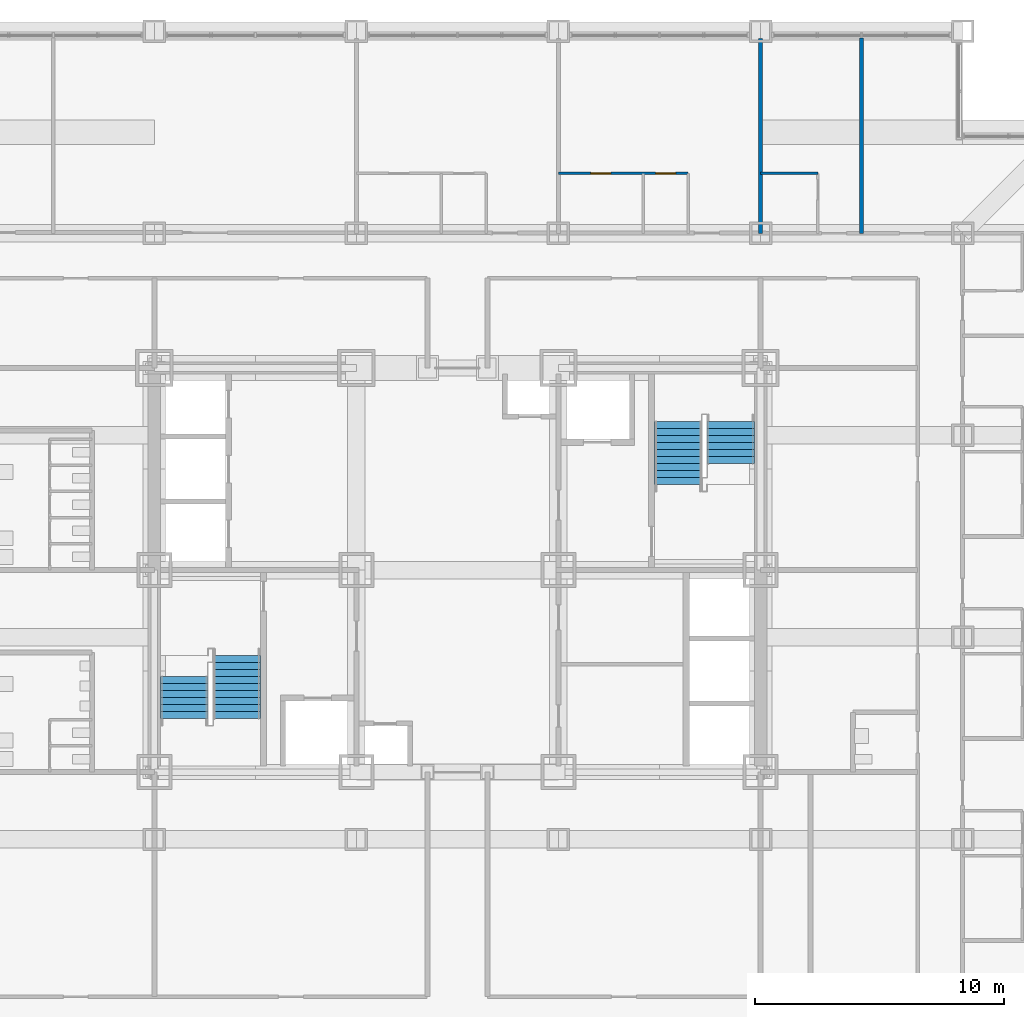
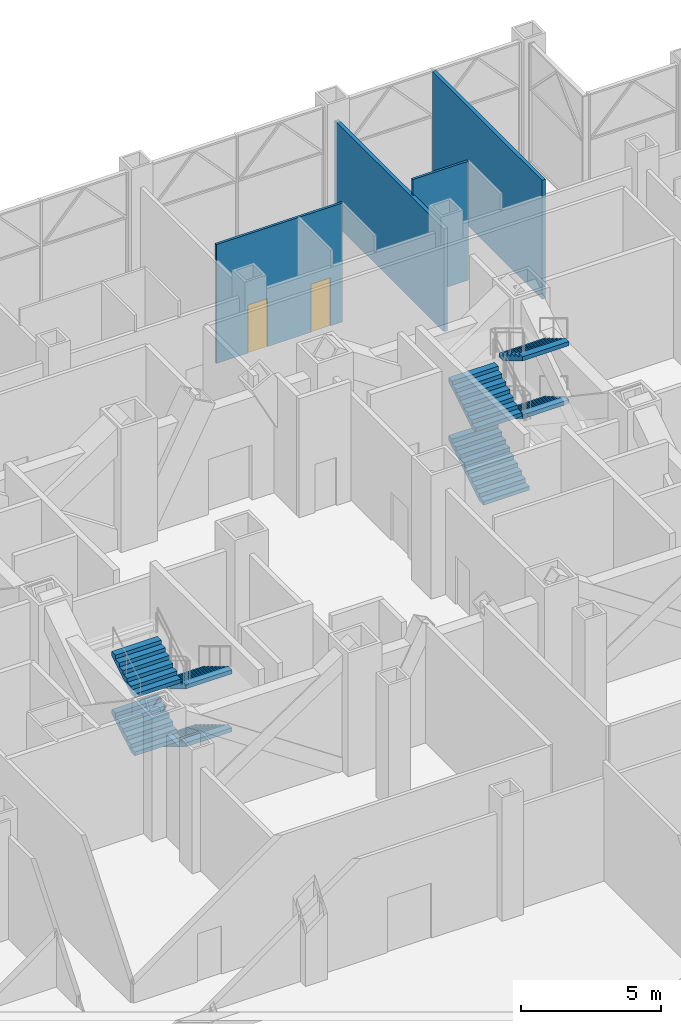
# One storey, part 24 of 26: 8 stair flights, 4 walls, 2 doors, 2 openings, 2 elements without a shape of their own.
"""IFC4 building model written with IfcOpenShell, lengths in metres."""

from ifc_helpers import new_model, si_unit, direction, frame, frame_2d, origin, place, context, subcontext, project, spatial, rectangle, extrude, polygons, source, transform, mapped, material, layer, layer_set, type_object, element, fill, aggregate, save


model = new_model("IFC4")

# Units and contexts
model_context = context("Model", 3, precision=1e-05, world=origin(), true_north=direction((0.0, 1.0)))
body_context = subcontext(model_context, "Body", "Model", "MODEL_VIEW")
ifc_project = project(units=[si_unit("LENGTHUNIT", "METRE"), si_unit("AREAUNIT", "SQUARE_METRE"), si_unit("VOLUMEUNIT", "CUBIC_METRE"), si_unit("PLANEANGLEUNIT", "RADIAN"), si_unit("MASSUNIT", "GRAM", prefix="KILO")], contexts=[model_context])

# Site, building, storey
site_placement = place(None, origin())
site = spatial("IfcSite", under=ifc_project, at=site_placement, CompositionType="ELEMENT")
building_placement = place(site_placement, origin())
building = spatial("IfcBuilding", under=site, at=building_placement, Name="Kopane Lantern Tower", CompositionType="ELEMENT")
storey_placement = place(building_placement, frame((0.0, 0.0, 98.0)))
storey = spatial("IfcBuildingStorey", under=building, at=storey_placement, Name="L24", CompositionType="ELEMENT", Elevation=98.0)

# Wall, openings, doors
ifc_material_1 = material(Name="Moisture-resistant board on steel studs", Category="steel")
ifc_layer_1 = layer(ifc_material_1, 0.10009765625)
ifc_layer_set_1 = layer_set([ifc_layer_1], Name="BATHROOM WALL 100")
wall_type_1 = type_object("IfcWallType", Name="BATHROOM WALL 100", PredefinedType="PARTITIONING", material=ifc_layer_set_1)
wall_1_placement = place(storey_placement, frame((32.39990234375, 48.300048828125, 0.0), z_axis=(0.0, 0.0, 1.0), x_axis=(1.0, 0.0, 0.0)))
wall_1 = element("IfcWall", 1, at=wall_1_placement, inside=storey, type_object=wall_type_1, Name="Bathroom Wall 100 L24", PredefinedType="PARTITIONING", context=body_context, shape_type="SweptSolid", body=[
    extrude(rectangle(XDim=5.2001953125, YDim=0.10009765625, at=frame_2d((2.60009765625, 0.0))), origin(), (0.0, 0.0, 1.0), 5.18994140625),
])
opening_1_placement = place(wall_1_placement, frame((1.300048828125, 0.0, 0.0)))
opening_1 = element("IfcOpeningElement", 2, at=opening_1_placement, cuts=wall_1, Name="Opening L24-026", PredefinedType="OPENING", context=body_context, shape_type="SweptSolid", body=[
    extrude(rectangle(XDim=0.800048828125, YDim=2.10009765625, at=frame_2d((0.39990234375, 1.050048828125))), frame((0.0, 0.06005859375, 0.0), z_axis=(0.0, -1.0, 0.0), x_axis=(1.0, 0.0, 0.0)), (0.0, 0.0, 1.0), 0.1201171875),
])
opening_2_placement = place(wall_1_placement, frame((3.89990234375, 0.0, 0.0)))
opening_2 = element("IfcOpeningElement", 3, at=opening_2_placement, cuts=wall_1, Name="Opening L24-027", PredefinedType="OPENING", context=body_context, shape_type="SweptSolid", body=[
    extrude(rectangle(XDim=0.800048828125, YDim=2.10009765625, at=frame_2d((0.39990234375, 1.050048828125))), frame((0.0, 0.06005859375, 0.0), z_axis=(0.0, -1.0, 0.0), x_axis=(1.0, 0.0, 0.0)), (0.0, 0.0, 1.0), 0.1201171875),
])
ifc_material_2 = material(Name="Timber door set", Category="wood")
door_type = type_object("IfcDoorType", Name="DOOR D2 800x2100", OperationType="SINGLE_SWING_LEFT", PredefinedType="DOOR", material=ifc_material_2)
door_1_placement = place(opening_1_placement, origin())
door_1 = element("IfcDoor", 4, at=door_1_placement, inside=storey, type_object=door_type, Name="Door L24-026", OperationType="SINGLE_SWING_LEFT", OverallHeight=2.10009765625, OverallWidth=0.800048828125, PredefinedType="DOOR", context=body_context, shape_type="SweptSolid", body=[
    extrude(rectangle(XDim=0.800048828125, YDim=2.10009765625, at=frame_2d((0.39990234375, 1.050048828125))), frame((0.0, 0.02490234375, 0.0), z_axis=(0.0, -1.0, 0.0), x_axis=(1.0, 0.0, 0.0)), (0.0, 0.0, 1.0), 0.050048828125),
])
fill(opening_1, door_1)
door_2_placement = place(opening_2_placement, origin())
door_2 = element("IfcDoor", 5, at=door_2_placement, inside=storey, type_object=door_type, Name="Door L24-027", OperationType="SINGLE_SWING_LEFT", OverallHeight=2.10009765625, OverallWidth=0.800048828125, PredefinedType="DOOR", context=body_context, shape_type="SweptSolid", body=[
    extrude(rectangle(XDim=0.800048828125, YDim=2.10009765625, at=frame_2d((0.39990234375, 1.050048828125))), frame((0.0, 0.02490234375, 0.0), z_axis=(0.0, -1.0, 0.0), x_axis=(1.0, 0.0, 0.0)), (0.0, 0.0, 1.0), 0.050048828125),
])
fill(opening_2, door_2)

# Walls
wall_2_placement = place(storey_placement, frame((40.5, 48.300048828125, 0.0), z_axis=(0.0, 0.0, 1.0), x_axis=(1.0, 0.0, 0.0)))
element("IfcWall", 6, at=wall_2_placement, inside=storey, type_object=wall_type_1, Name="Bathroom Wall 100 L24", PredefinedType="PARTITIONING", context=body_context, shape_type="SweptSolid", body=[
    extrude(rectangle(XDim=2.300048828125, YDim=0.10009765625, at=frame_2d((1.14990234375, 0.0))), origin(), (0.0, 0.0, 1.0), 5.18994140625),
])
ifc_material_3 = material(Name="Gypsum board on steel studs", Category="steel")
ifc_layer_2 = layer(ifc_material_3, 0.14990234375)
ifc_layer_set_2 = layer_set([ifc_layer_2], Name="DEMISING WALL 150 EI 60")
wall_type_2 = type_object("IfcWallType", Name="DEMISING WALL 150 EI 60", PredefinedType="PARTITIONING", material=ifc_layer_set_2)
wall_3_placement = place(storey_placement, frame((40.5, 45.89990234375, 0.0), z_axis=(0.0, 0.0, 1.0), x_axis=(0.0, 1.0, 0.0)))
element("IfcWall", 7, at=wall_3_placement, inside=storey, type_object=wall_type_2, Name="Demising Wall 150 Ei 60 L24", PredefinedType="PARTITIONING", context=body_context, shape_type="SweptSolid", body=[
    extrude(rectangle(XDim=7.800048828125, YDim=0.14990234375, at=frame_2d((3.89990234375, 0.0))), origin(), (0.0, 0.0, 1.0), 4.489990234375),
])
wall_4_placement = place(storey_placement, frame((44.550048828125, 45.89990234375, 0.0), z_axis=(0.0, 0.0, 1.0), x_axis=(0.0, 1.0, 0.0)))
element("IfcWall", 8, at=wall_4_placement, inside=storey, type_object=wall_type_2, Name="Demising Wall 150 Ei 60 L24", PredefinedType="PARTITIONING", context=body_context, shape_type="SweptSolid", body=[
    extrude(rectangle(XDim=7.834716796875, YDim=0.14990234375, at=frame_2d((3.91748046875, 0.0))), origin(), (0.0, 0.0, 1.0), 5.18994140625),
])

# Stair, stair flight
ifc_material_4 = material(Name="Steel S355JR", Category="steel")
stair_type = type_object("IfcStairType", Name="EXIT STAIR 1900 HALF TURN", PredefinedType="HALF_TURN_STAIR", material=ifc_material_4)
stair_1_placement = place(storey_placement, origin())
stair_1 = element("IfcStair", 9, at=stair_1_placement, inside=storey, type_object=stair_type, Name="Exit stair ST1 L24", PredefinedType="HALF_TURN_STAIR")
ifc_material_5 = material(Name="Steel S355JR", Category="steel")
stair_flight_type = type_object("IfcStairFlightType", Name="STAIR FLIGHT 1900 STEEL", PredefinedType="STRAIGHT", material=ifc_material_5)
shared_shape_1 = source(origin(), body_context, "Body", "Tessellation", [
    polygons([(1.959960938, 0.949951172, 1.181152344), (1.679931641, 0.949951172, 1.181152344), (1.679931641, -0.949951172, 1.181152344), (1.959960938, -0.949951172, 1.181152344), (0.290527344, 0.949951172, 0.0), (1.959960938, 0.949951172, 1.006347656), (1.959960938, -0.949951172, 1.006347656), (0.290527344, -0.949951172, 0.0), (0.0, 0.949951172, 0.0), (0.0, -0.949951172, 0.0), (0.280029297, 0.949951172, 0.168701172), (0.0, 0.949951172, 0.168701172), (0.0, -0.949951172, 0.168701172), (0.280029297, -0.949951172, 0.168701172), (0.280029297, 0.949951172, 0.337402344), (0.280029297, -0.949951172, 0.337402344), (0.560058594, 0.949951172, 0.337402344), (0.560058594, -0.949951172, 0.337402344), (0.560058594, 0.949951172, 0.506347656), (0.560058594, -0.949951172, 0.506347656), (0.840087891, 0.949951172, 0.506347656), (0.840087891, -0.949951172, 0.506347656), (0.840087891, 0.949951172, 0.675048828), (0.840087891, -0.949951172, 0.675048828), (1.120117188, 0.949951172, 0.675048828), (1.120117188, -0.949951172, 0.675048828), (1.120117188, 0.949951172, 0.84375), (1.120117188, -0.949951172, 0.84375), (1.399902344, 0.949951172, 0.84375), (1.399902344, -0.949951172, 0.84375), (1.399902344, 0.949951172, 1.012451172), (1.399902344, -0.949951172, 1.012451172), (1.679931641, 0.949951172, 1.012451172), (1.679931641, -0.949951172, 1.012451172), (0.0, 0.0, 0.004559491), (0.0, 0.0, 0.009118982), (0.0, 0.0, 0.013678473), (0.0, 0.0, 0.018237965), (0.0, 0.0, 0.022797456), (0.0, 0.0, 0.027356947), (0.0, 0.0, 0.031916438), (0.0, 0.0, 0.036475929), (0.0, 0.0, 0.04103542), (0.0, 0.0, 0.045594911), (0.0, 0.0, 0.050154402), (0.0, 0.0, 0.054713894), (0.0, 0.0, 0.059273385), (0.0, 0.0, 0.063832876), (0.0, 0.0, 0.068392367), (0.0, 0.0, 0.072951858), (0.0, 0.0, 0.077511349), (0.0, 0.0, 0.08207084), (0.0, 0.0, 0.086630332), (0.0, 0.0, 0.091189823), (0.0, 0.0, 0.095749314), (0.0, 0.0, 0.100308805), (0.0, 0.0, 0.104868296), (0.0, 0.0, 0.109427787), (0.0, 0.0, 0.113987278), (0.0, 0.0, 0.118546769), (0.0, 0.0, 0.123106261), (0.0, 0.0, 0.127665752), (0.0, 0.0, 0.132225243), (0.0, 0.0, 0.136784734), (0.0, 0.0, 0.141344225), (0.0, 0.0, 0.145903716), (0.0, 0.0, 0.150463207), (0.0, 0.0, 0.155022698), (0.0, 0.0, 0.15958219), (0.0, 0.0, 0.164141681), (1.959960938, 0.0, 1.011072107), (1.959960938, 0.0, 1.015796558), (1.959960938, 0.0, 1.020521009), (1.959960938, 0.0, 1.02524546), (1.959960938, 0.0, 1.029969911), (1.959960938, 0.0, 1.034694362), (1.959960938, 0.0, 1.039418813), (1.959960938, 0.0, 1.044143264), (1.959960938, 0.0, 1.048867715), (1.959960938, 0.0, 1.053592166), (1.959960938, 0.0, 1.058316617), (1.959960938, 0.0, 1.063041068), (1.959960938, 0.0, 1.067765519), (1.959960938, 0.0, 1.07248997), (1.959960938, 0.0, 1.077214421), (1.959960938, 0.0, 1.081938872), (1.959960938, 0.0, 1.086663323), (1.959960938, 0.0, 1.091387774), (1.959960938, 0.0, 1.096112226), (1.959960938, 0.0, 1.100836677), (1.959960938, 0.0, 1.105561128), (1.959960938, 0.0, 1.110285579), (1.959960938, 0.0, 1.11501003), (1.959960938, 0.0, 1.119734481), (1.959960938, 0.0, 1.124458932), (1.959960938, 0.0, 1.129183383), (1.959960938, 0.0, 1.133907834), (1.959960938, 0.0, 1.138632285), (1.959960938, 0.0, 1.143356736), (1.959960938, 0.0, 1.148081187), (1.959960938, 0.0, 1.152805638), (1.959960938, 0.0, 1.157530089), (1.959960938, 0.0, 1.16225454), (1.959960938, 0.0, 1.166978991), (1.959960938, 0.0, 1.171703442), (1.959960938, 0.0, 1.176427893)], [[[1, 2, 3]], [[1, 3, 4]], [[5, 6, 7]], [[5, 7, 8]], [[9, 5, 8]], [[9, 8, 10]], [[11, 12, 13]], [[11, 13, 14]], [[15, 11, 14]], [[15, 14, 16]], [[17, 15, 16]], [[17, 16, 18]], [[19, 17, 18]], [[19, 18, 20]], [[21, 19, 20]], [[21, 20, 22]], [[23, 21, 22]], [[23, 22, 24]], [[25, 23, 24]], [[25, 24, 26]], [[27, 25, 26]], [[27, 26, 28]], [[29, 27, 28]], [[29, 28, 30]], [[31, 29, 30]], [[31, 30, 32]], [[33, 31, 32]], [[33, 32, 34]], [[2, 33, 34]], [[2, 34, 3]], [[33, 1, 6]], [[29, 33, 6]], [[2, 1, 33]], [[25, 29, 6]], [[31, 33, 29]], [[5, 21, 25]], [[27, 29, 25]], [[17, 21, 5]], [[23, 25, 21]], [[11, 17, 5]], [[19, 21, 17]], [[9, 11, 5]], [[15, 17, 11]], [[12, 11, 9]], [[6, 5, 25]], [[7, 4, 34]], [[7, 34, 30]], [[34, 4, 3]], [[7, 30, 26]], [[30, 34, 32]], [[26, 22, 8]], [[26, 30, 28]], [[8, 22, 18]], [[22, 26, 24]], [[8, 18, 14]], [[18, 22, 20]], [[8, 14, 10]], [[14, 18, 16]], [[10, 14, 13]], [[26, 8, 7]], [[10, 35, 9]], [[10, 36, 35]], [[9, 35, 36]], [[10, 37, 36]], [[9, 36, 37]], [[10, 38, 37]], [[9, 37, 38]], [[10, 39, 38]], [[9, 38, 39]], [[10, 40, 39]], [[9, 39, 40]], [[10, 41, 40]], [[9, 40, 41]], [[10, 42, 41]], [[9, 41, 42]], [[10, 43, 42]], [[9, 42, 43]], [[10, 44, 43]], [[9, 43, 44]], [[10, 45, 44]], [[9, 44, 45]], [[10, 46, 45]], [[9, 45, 46]], [[10, 47, 46]], [[9, 46, 47]], [[10, 48, 47]], [[9, 47, 48]], [[10, 49, 48]], [[9, 48, 49]], [[10, 50, 49]], [[9, 49, 50]], [[10, 51, 50]], [[9, 50, 51]], [[10, 52, 51]], [[9, 51, 52]], [[10, 53, 52]], [[9, 52, 53]], [[10, 54, 53]], [[9, 53, 54]], [[10, 55, 54]], [[9, 54, 55]], [[10, 56, 55]], [[9, 55, 56]], [[10, 57, 56]], [[9, 56, 57]], [[10, 58, 57]], [[9, 57, 58]], [[10, 59, 58]], [[9, 58, 59]], [[10, 60, 59]], [[9, 59, 60]], [[10, 61, 60]], [[9, 60, 61]], [[10, 62, 61]], [[9, 61, 62]], [[10, 63, 62]], [[9, 62, 63]], [[10, 64, 63]], [[9, 63, 64]], [[10, 65, 64]], [[9, 64, 65]], [[10, 66, 65]], [[9, 65, 66]], [[10, 67, 66]], [[9, 66, 67]], [[10, 68, 67]], [[9, 67, 68]], [[10, 69, 68]], [[9, 68, 69]], [[10, 70, 69]], [[9, 69, 70]], [[10, 13, 70]], [[70, 13, 12]], [[9, 70, 12]], [[7, 6, 71]], [[7, 71, 72]], [[6, 72, 71]], [[7, 72, 73]], [[6, 73, 72]], [[7, 73, 74]], [[6, 74, 73]], [[7, 74, 75]], [[6, 75, 74]], [[7, 75, 76]], [[6, 76, 75]], [[7, 76, 77]], [[6, 77, 76]], [[7, 77, 78]], [[6, 78, 77]], [[7, 78, 79]], [[6, 79, 78]], [[7, 79, 80]], [[6, 80, 79]], [[7, 80, 81]], [[6, 81, 80]], [[7, 81, 82]], [[6, 82, 81]], [[7, 82, 83]], [[6, 83, 82]], [[7, 83, 84]], [[6, 84, 83]], [[7, 84, 85]], [[6, 85, 84]], [[7, 85, 86]], [[6, 86, 85]], [[7, 86, 87]], [[6, 87, 86]], [[7, 87, 88]], [[6, 88, 87]], [[7, 88, 89]], [[6, 89, 88]], [[7, 89, 90]], [[6, 90, 89]], [[7, 90, 91]], [[6, 91, 90]], [[7, 91, 92]], [[6, 92, 91]], [[7, 92, 93]], [[6, 93, 92]], [[7, 93, 94]], [[6, 94, 93]], [[7, 94, 95]], [[6, 95, 94]], [[7, 95, 96]], [[6, 96, 95]], [[7, 96, 97]], [[6, 97, 96]], [[7, 97, 98]], [[6, 98, 97]], [[7, 98, 99]], [[6, 99, 98]], [[7, 99, 100]], [[6, 100, 99]], [[7, 100, 101]], [[6, 101, 100]], [[7, 101, 102]], [[6, 102, 101]], [[7, 102, 103]], [[6, 103, 102]], [[7, 103, 104]], [[6, 104, 103]], [[7, 104, 105]], [[6, 105, 104]], [[7, 105, 106]], [[6, 106, 105]], [[7, 106, 4]], [[106, 1, 4]], [[6, 1, 106]]], closed=True),
])
stair_flight_1_placement = place(storey_placement, frame((19.5, 28.409912109375, 2.868896484375), z_axis=(0.0, 0.0, 1.0), x_axis=(0.0, -1.0, 0.0)))
stair_flight_1 = element("IfcStairFlight", 10, at=stair_flight_1_placement, type_object=stair_flight_type, Name="ST1 flight 3", NumberOfRisers=8, NumberOfTreads=7, PredefinedType="STRAIGHT", RiserHeight=0.16875, TreadLength=0.28, context=body_context, shape_type="MappedRepresentation", body=[
    mapped(shared_shape_1, transform((0.0, 0.0, 0.0))),
])

stair_2_placement = place(storey_placement, origin())
stair_2 = element("IfcStair", 11, at=stair_2_placement, inside=storey, type_object=stair_type, Name="Exit stair ST2 L24", PredefinedType="HALF_TURN_STAIR")
stair_flight_2_placement = place(storey_placement, frame((37.199951171875, 36.389892578125, 2.868896484375), z_axis=(0.0, 0.0, 1.0), x_axis=(0.0, 1.0, 0.0)))
stair_flight_2 = element("IfcStairFlight", 12, at=stair_flight_2_placement, type_object=stair_flight_type, Name="ST2 flight 3", NumberOfRisers=8, NumberOfTreads=7, PredefinedType="STRAIGHT", RiserHeight=0.16875, TreadLength=0.28, context=body_context, shape_type="MappedRepresentation", body=[
    mapped(shared_shape_1, transform((0.0, 0.0, 0.0))),
])

# Stair flight
shared_shape_2 = source(origin(), body_context, "Body", "Tessellation", [
    polygons([(2.520019531, 0.949951172, 1.518798828), (2.239990234, 0.949951172, 1.518798828), (2.239990234, -0.949951172, 1.518798828), (2.520019531, -0.949951172, 1.518798828), (0.290527344, 0.949951172, 0.0), (2.520019531, 0.949951172, 1.34375), (2.520019531, -0.949951172, 1.34375), (0.290527344, -0.949951172, 0.0), (0.0, 0.949951172, 0.0), (0.0, -0.949951172, 0.0), (0.280029297, 0.949951172, 0.168701172), (0.0, 0.949951172, 0.168701172), (0.0, -0.949951172, 0.168701172), (0.280029297, -0.949951172, 0.168701172), (0.280029297, 0.949951172, 0.337402344), (0.280029297, -0.949951172, 0.337402344), (0.560058594, 0.949951172, 0.337402344), (0.560058594, -0.949951172, 0.337402344), (0.560058594, 0.949951172, 0.506347656), (0.560058594, -0.949951172, 0.506347656), (0.840087891, 0.949951172, 0.506347656), (0.840087891, -0.949951172, 0.506347656), (0.840087891, 0.949951172, 0.675048828), (0.840087891, -0.949951172, 0.675048828), (1.120117188, 0.949951172, 0.675048828), (1.120117188, -0.949951172, 0.675048828), (1.120117188, 0.949951172, 0.84375), (1.120117188, -0.949951172, 0.84375), (1.399902344, 0.949951172, 0.84375), (1.399902344, -0.949951172, 0.84375), (1.399902344, 0.949951172, 1.012451172), (1.399902344, -0.949951172, 1.012451172), (1.679931641, 0.949951172, 1.012451172), (1.679931641, -0.949951172, 1.012451172), (1.679931641, 0.949951172, 1.181152344), (1.679931641, -0.949951172, 1.181152344), (1.959960938, 0.949951172, 1.181152344), (1.959960938, -0.949951172, 1.181152344), (1.959960938, 0.949951172, 1.350097656), (1.959960938, -0.949951172, 1.350097656), (2.239990234, 0.949951172, 1.350097656), (2.239990234, -0.949951172, 1.350097656), (0.0, 0.0, 0.004559491), (0.0, 0.0, 0.009118982), (0.0, 0.0, 0.013678473), (0.0, 0.0, 0.018237965), (0.0, 0.0, 0.022797456), (0.0, 0.0, 0.027356947), (0.0, 0.0, 0.031916438), (0.0, 0.0, 0.036475929), (0.0, 0.0, 0.04103542), (0.0, 0.0, 0.045594911), (0.0, 0.0, 0.050154402), (0.0, 0.0, 0.054713894), (0.0, 0.0, 0.059273385), (0.0, 0.0, 0.063832876), (0.0, 0.0, 0.068392367), (0.0, 0.0, 0.072951858), (0.0, 0.0, 0.077511349), (0.0, 0.0, 0.08207084), (0.0, 0.0, 0.086630332), (0.0, 0.0, 0.091189823), (0.0, 0.0, 0.095749314), (0.0, 0.0, 0.100308805), (0.0, 0.0, 0.104868296), (0.0, 0.0, 0.109427787), (0.0, 0.0, 0.113987278), (0.0, 0.0, 0.118546769), (0.0, 0.0, 0.123106261), (0.0, 0.0, 0.127665752), (0.0, 0.0, 0.132225243), (0.0, 0.0, 0.136784734), (0.0, 0.0, 0.141344225), (0.0, 0.0, 0.145903716), (0.0, 0.0, 0.150463207), (0.0, 0.0, 0.155022698), (0.0, 0.0, 0.15958219), (0.0, 0.0, 0.164141681), (2.520019531, 0.0, 1.348481049), (2.520019531, 0.0, 1.353212099), (2.520019531, 0.0, 1.357943148), (2.520019531, 0.0, 1.362674198), (2.520019531, 0.0, 1.367405247), (2.520019531, 0.0, 1.372136296), (2.520019531, 0.0, 1.376867346), (2.520019531, 0.0, 1.381598395), (2.520019531, 0.0, 1.386329445), (2.520019531, 0.0, 1.391060494), (2.520019531, 0.0, 1.395791543), (2.520019531, 0.0, 1.400522593), (2.520019531, 0.0, 1.405253642), (2.520019531, 0.0, 1.409984692), (2.520019531, 0.0, 1.414715741), (2.520019531, 0.0, 1.419446791), (2.520019531, 0.0, 1.42417784), (2.520019531, 0.0, 1.428908889), (2.520019531, 0.0, 1.433639939), (2.520019531, 0.0, 1.438370988), (2.520019531, 0.0, 1.443102038), (2.520019531, 0.0, 1.447833087), (2.520019531, 0.0, 1.452564136), (2.520019531, 0.0, 1.457295186), (2.520019531, 0.0, 1.462026235), (2.520019531, 0.0, 1.466757285), (2.520019531, 0.0, 1.471488334), (2.520019531, 0.0, 1.476219383), (2.520019531, 0.0, 1.480950433), (2.520019531, 0.0, 1.485681482), (2.520019531, 0.0, 1.490412532), (2.520019531, 0.0, 1.495143581), (2.520019531, 0.0, 1.49987463), (2.520019531, 0.0, 1.50460568), (2.520019531, 0.0, 1.509336729), (2.520019531, 0.0, 1.514067779)], [[[1, 2, 3]], [[1, 3, 4]], [[5, 6, 7]], [[5, 7, 8]], [[9, 5, 8]], [[9, 8, 10]], [[11, 12, 13]], [[11, 13, 14]], [[15, 11, 14]], [[15, 14, 16]], [[17, 15, 16]], [[17, 16, 18]], [[19, 17, 18]], [[19, 18, 20]], [[21, 19, 20]], [[21, 20, 22]], [[23, 21, 22]], [[23, 22, 24]], [[25, 23, 24]], [[25, 24, 26]], [[27, 25, 26]], [[27, 26, 28]], [[29, 27, 28]], [[29, 28, 30]], [[31, 29, 30]], [[31, 30, 32]], [[33, 31, 32]], [[33, 32, 34]], [[35, 33, 34]], [[35, 34, 36]], [[37, 35, 36]], [[37, 36, 38]], [[39, 37, 38]], [[39, 38, 40]], [[41, 39, 40]], [[41, 40, 42]], [[2, 41, 42]], [[2, 42, 3]], [[41, 1, 6]], [[37, 41, 6]], [[2, 1, 41]], [[33, 37, 6]], [[39, 41, 37]], [[35, 37, 33]], [[31, 33, 29]], [[5, 21, 25]], [[27, 29, 25]], [[17, 21, 5]], [[23, 25, 21]], [[11, 17, 5]], [[19, 21, 17]], [[9, 11, 5]], [[15, 17, 11]], [[12, 11, 9]], [[6, 5, 33]], [[33, 5, 29]], [[29, 5, 25]], [[7, 4, 42]], [[7, 42, 38]], [[42, 4, 3]], [[7, 38, 34]], [[38, 42, 40]], [[34, 38, 36]], [[30, 34, 32]], [[26, 22, 8]], [[26, 30, 28]], [[8, 22, 18]], [[22, 26, 24]], [[8, 18, 14]], [[18, 22, 20]], [[8, 14, 10]], [[14, 18, 16]], [[10, 14, 13]], [[34, 8, 7]], [[30, 8, 34]], [[26, 8, 30]], [[10, 43, 9]], [[10, 44, 43]], [[9, 43, 44]], [[10, 45, 44]], [[9, 44, 45]], [[10, 46, 45]], [[9, 45, 46]], [[10, 47, 46]], [[9, 46, 47]], [[10, 48, 47]], [[9, 47, 48]], [[10, 49, 48]], [[9, 48, 49]], [[10, 50, 49]], [[9, 49, 50]], [[10, 51, 50]], [[9, 50, 51]], [[10, 52, 51]], [[9, 51, 52]], [[10, 53, 52]], [[9, 52, 53]], [[10, 54, 53]], [[9, 53, 54]], [[10, 55, 54]], [[9, 54, 55]], [[10, 56, 55]], [[9, 55, 56]], [[10, 57, 56]], [[9, 56, 57]], [[10, 58, 57]], [[9, 57, 58]], [[10, 59, 58]], [[9, 58, 59]], [[10, 60, 59]], [[9, 59, 60]], [[10, 61, 60]], [[9, 60, 61]], [[10, 62, 61]], [[9, 61, 62]], [[10, 63, 62]], [[9, 62, 63]], [[10, 64, 63]], [[9, 63, 64]], [[10, 65, 64]], [[9, 64, 65]], [[10, 66, 65]], [[9, 65, 66]], [[10, 67, 66]], [[9, 66, 67]], [[10, 68, 67]], [[9, 67, 68]], [[10, 69, 68]], [[9, 68, 69]], [[10, 70, 69]], [[9, 69, 70]], [[10, 71, 70]], [[9, 70, 71]], [[10, 72, 71]], [[9, 71, 72]], [[10, 73, 72]], [[9, 72, 73]], [[10, 74, 73]], [[9, 73, 74]], [[10, 75, 74]], [[9, 74, 75]], [[10, 76, 75]], [[9, 75, 76]], [[10, 77, 76]], [[9, 76, 77]], [[10, 78, 77]], [[9, 77, 78]], [[10, 13, 78]], [[78, 13, 12]], [[9, 78, 12]], [[7, 6, 79]], [[7, 79, 80]], [[6, 80, 79]], [[7, 80, 81]], [[6, 81, 80]], [[7, 81, 82]], [[6, 82, 81]], [[7, 82, 83]], [[6, 83, 82]], [[7, 83, 84]], [[6, 84, 83]], [[7, 84, 85]], [[6, 85, 84]], [[7, 85, 86]], [[6, 86, 85]], [[7, 86, 87]], [[6, 87, 86]], [[7, 87, 88]], [[6, 88, 87]], [[7, 88, 89]], [[6, 89, 88]], [[7, 89, 90]], [[6, 90, 89]], [[7, 90, 91]], [[6, 91, 90]], [[7, 91, 92]], [[6, 92, 91]], [[7, 92, 93]], [[6, 93, 92]], [[7, 93, 94]], [[6, 94, 93]], [[7, 94, 95]], [[6, 95, 94]], [[7, 95, 96]], [[6, 96, 95]], [[7, 96, 97]], [[6, 97, 96]], [[7, 97, 98]], [[6, 98, 97]], [[7, 98, 99]], [[6, 99, 98]], [[7, 99, 100]], [[6, 100, 99]], [[7, 100, 101]], [[6, 101, 100]], [[7, 101, 102]], [[6, 102, 101]], [[7, 102, 103]], [[6, 103, 102]], [[7, 103, 104]], [[6, 104, 103]], [[7, 104, 105]], [[6, 105, 104]], [[7, 105, 106]], [[6, 106, 105]], [[7, 106, 107]], [[6, 107, 106]], [[7, 107, 108]], [[6, 108, 107]], [[7, 108, 109]], [[6, 109, 108]], [[7, 109, 110]], [[6, 110, 109]], [[7, 110, 111]], [[6, 111, 110]], [[7, 111, 112]], [[6, 112, 111]], [[7, 112, 113]], [[6, 113, 112]], [[7, 113, 114]], [[6, 114, 113]], [[7, 114, 4]], [[114, 1, 4]], [[6, 1, 114]]], closed=True),
])
stair_flight_3_placement = place(storey_placement, frame((19.5, 28.969970703125, 0.0), z_axis=(0.0, 0.0, 1.0), x_axis=(0.0, -1.0, 0.0)))
stair_flight_3 = element("IfcStairFlight", 13, at=stair_flight_3_placement, type_object=stair_flight_type, Name="ST1 flight 1", NumberOfRisers=10, NumberOfTreads=9, PredefinedType="STRAIGHT", RiserHeight=0.16875, TreadLength=0.28, context=body_context, shape_type="MappedRepresentation", body=[
    mapped(shared_shape_2, transform((0.0, 0.0, 0.0))),
])

stair_flight_4_placement = place(storey_placement, frame((37.199951171875, 35.830078125, 0.0), z_axis=(0.0, 0.0, 1.0), x_axis=(0.0, 1.0, 0.0)))
stair_flight_4 = element("IfcStairFlight", 14, at=stair_flight_4_placement, type_object=stair_flight_type, Name="ST2 flight 1", NumberOfRisers=10, NumberOfTreads=9, PredefinedType="STRAIGHT", RiserHeight=0.16875, TreadLength=0.28, context=body_context, shape_type="MappedRepresentation", body=[
    mapped(shared_shape_2, transform((0.0, 0.0, 0.0))),
])

shared_shape_3 = source(origin(), body_context, "Body", "Tessellation", [
    polygons([(1.679931641, 0.949951172, 1.012451172), (1.399902344, 0.949951172, 1.012451172), (1.399902344, -0.949951172, 1.012451172), (1.679931641, -0.949951172, 1.012451172), (0.290527344, 0.949951172, 0.0), (1.679931641, 0.949951172, 0.837402344), (1.679931641, -0.949951172, 0.837402344), (0.290527344, -0.949951172, 0.0), (0.0, 0.949951172, 0.0), (0.0, -0.949951172, 0.0), (0.280029297, 0.949951172, 0.168701172), (0.0, 0.949951172, 0.168701172), (0.0, -0.949951172, 0.168701172), (0.280029297, -0.949951172, 0.168701172), (0.280029297, 0.949951172, 0.337402344), (0.280029297, -0.949951172, 0.337402344), (0.560058594, 0.949951172, 0.337402344), (0.560058594, -0.949951172, 0.337402344), (0.560058594, 0.949951172, 0.506347656), (0.560058594, -0.949951172, 0.506347656), (0.840087891, 0.949951172, 0.506347656), (0.840087891, -0.949951172, 0.506347656), (0.840087891, 0.949951172, 0.675048828), (0.840087891, -0.949951172, 0.675048828), (1.120117188, 0.949951172, 0.675048828), (1.120117188, -0.949951172, 0.675048828), (1.120117188, 0.949951172, 0.84375), (1.120117188, -0.949951172, 0.84375), (1.399902344, 0.949951172, 0.84375), (1.399902344, -0.949951172, 0.84375), (0.0, 0.0, 0.004559491), (0.0, 0.0, 0.009118982), (0.0, 0.0, 0.013678473), (0.0, 0.0, 0.018237965), (0.0, 0.0, 0.022797456), (0.0, 0.0, 0.027356947), (0.0, 0.0, 0.031916438), (0.0, 0.0, 0.036475929), (0.0, 0.0, 0.04103542), (0.0, 0.0, 0.045594911), (0.0, 0.0, 0.050154402), (0.0, 0.0, 0.054713894), (0.0, 0.0, 0.059273385), (0.0, 0.0, 0.063832876), (0.0, 0.0, 0.068392367), (0.0, 0.0, 0.072951858), (0.0, 0.0, 0.077511349), (0.0, 0.0, 0.08207084), (0.0, 0.0, 0.086630332), (0.0, 0.0, 0.091189823), (0.0, 0.0, 0.095749314), (0.0, 0.0, 0.100308805), (0.0, 0.0, 0.104868296), (0.0, 0.0, 0.109427787), (0.0, 0.0, 0.113987278), (0.0, 0.0, 0.118546769), (0.0, 0.0, 0.123106261), (0.0, 0.0, 0.127665752), (0.0, 0.0, 0.132225243), (0.0, 0.0, 0.136784734), (0.0, 0.0, 0.141344225), (0.0, 0.0, 0.145903716), (0.0, 0.0, 0.150463207), (0.0, 0.0, 0.155022698), (0.0, 0.0, 0.15958219), (0.0, 0.0, 0.164141681), (1.679931641, 0.0, 0.842133393), (1.679931641, 0.0, 0.846864443), (1.679931641, 0.0, 0.851595492), (1.679931641, 0.0, 0.856326541), (1.679931641, 0.0, 0.861057591), (1.679931641, 0.0, 0.86578864), (1.679931641, 0.0, 0.87051969), (1.679931641, 0.0, 0.875250739), (1.679931641, 0.0, 0.879981788), (1.679931641, 0.0, 0.884712838), (1.679931641, 0.0, 0.889443887), (1.679931641, 0.0, 0.894174937), (1.679931641, 0.0, 0.898905986), (1.679931641, 0.0, 0.903637035), (1.679931641, 0.0, 0.908368085), (1.679931641, 0.0, 0.913099134), (1.679931641, 0.0, 0.917830184), (1.679931641, 0.0, 0.922561233), (1.679931641, 0.0, 0.927292283), (1.679931641, 0.0, 0.932023332), (1.679931641, 0.0, 0.936754381), (1.679931641, 0.0, 0.941485431), (1.679931641, 0.0, 0.94621648), (1.679931641, 0.0, 0.95094753), (1.679931641, 0.0, 0.955678579), (1.679931641, 0.0, 0.960409628), (1.679931641, 0.0, 0.965140678), (1.679931641, 0.0, 0.969871727), (1.679931641, 0.0, 0.974602777), (1.679931641, 0.0, 0.979333826), (1.679931641, 0.0, 0.984064875), (1.679931641, 0.0, 0.988795925), (1.679931641, 0.0, 0.993526974), (1.679931641, 0.0, 0.998258024), (1.679931641, 0.0, 1.002989073), (1.679931641, 0.0, 1.007720122)], [[[1, 2, 3]], [[1, 3, 4]], [[5, 6, 7]], [[5, 7, 8]], [[9, 5, 8]], [[9, 8, 10]], [[11, 12, 13]], [[11, 13, 14]], [[15, 11, 14]], [[15, 14, 16]], [[17, 15, 16]], [[17, 16, 18]], [[19, 17, 18]], [[19, 18, 20]], [[21, 19, 20]], [[21, 20, 22]], [[23, 21, 22]], [[23, 22, 24]], [[25, 23, 24]], [[25, 24, 26]], [[27, 25, 26]], [[27, 26, 28]], [[29, 27, 28]], [[29, 28, 30]], [[2, 29, 30]], [[2, 30, 3]], [[29, 1, 6]], [[25, 29, 6]], [[2, 1, 29]], [[21, 25, 6]], [[5, 21, 6]], [[27, 29, 25]], [[17, 21, 5]], [[23, 25, 21]], [[11, 17, 5]], [[19, 21, 17]], [[9, 11, 5]], [[15, 17, 11]], [[12, 11, 9]], [[7, 4, 30]], [[7, 30, 26]], [[30, 4, 3]], [[7, 26, 22]], [[7, 22, 8]], [[26, 30, 28]], [[8, 22, 18]], [[22, 26, 24]], [[8, 18, 14]], [[18, 22, 20]], [[8, 14, 10]], [[14, 18, 16]], [[10, 14, 13]], [[10, 31, 9]], [[10, 32, 31]], [[9, 31, 32]], [[10, 33, 32]], [[9, 32, 33]], [[10, 34, 33]], [[9, 33, 34]], [[10, 35, 34]], [[9, 34, 35]], [[10, 36, 35]], [[9, 35, 36]], [[10, 37, 36]], [[9, 36, 37]], [[10, 38, 37]], [[9, 37, 38]], [[10, 39, 38]], [[9, 38, 39]], [[10, 40, 39]], [[9, 39, 40]], [[10, 41, 40]], [[9, 40, 41]], [[10, 42, 41]], [[9, 41, 42]], [[10, 43, 42]], [[9, 42, 43]], [[10, 44, 43]], [[9, 43, 44]], [[10, 45, 44]], [[9, 44, 45]], [[10, 46, 45]], [[9, 45, 46]], [[10, 47, 46]], [[9, 46, 47]], [[10, 48, 47]], [[9, 47, 48]], [[10, 49, 48]], [[9, 48, 49]], [[10, 50, 49]], [[9, 49, 50]], [[10, 51, 50]], [[9, 50, 51]], [[10, 52, 51]], [[9, 51, 52]], [[10, 53, 52]], [[9, 52, 53]], [[10, 54, 53]], [[9, 53, 54]], [[10, 55, 54]], [[9, 54, 55]], [[10, 56, 55]], [[9, 55, 56]], [[10, 57, 56]], [[9, 56, 57]], [[10, 58, 57]], [[9, 57, 58]], [[10, 59, 58]], [[9, 58, 59]], [[10, 60, 59]], [[9, 59, 60]], [[10, 61, 60]], [[9, 60, 61]], [[10, 62, 61]], [[9, 61, 62]], [[10, 63, 62]], [[9, 62, 63]], [[10, 64, 63]], [[9, 63, 64]], [[10, 65, 64]], [[9, 64, 65]], [[10, 66, 65]], [[9, 65, 66]], [[10, 13, 66]], [[66, 13, 12]], [[9, 66, 12]], [[7, 6, 67]], [[7, 67, 68]], [[6, 68, 67]], [[7, 68, 69]], [[6, 69, 68]], [[7, 69, 70]], [[6, 70, 69]], [[7, 70, 71]], [[6, 71, 70]], [[7, 71, 72]], [[6, 72, 71]], [[7, 72, 73]], [[6, 73, 72]], [[7, 73, 74]], [[6, 74, 73]], [[7, 74, 75]], [[6, 75, 74]], [[7, 75, 76]], [[6, 76, 75]], [[7, 76, 77]], [[6, 77, 76]], [[7, 77, 78]], [[6, 78, 77]], [[7, 78, 79]], [[6, 79, 78]], [[7, 79, 80]], [[6, 80, 79]], [[7, 80, 81]], [[6, 81, 80]], [[7, 81, 82]], [[6, 82, 81]], [[7, 82, 83]], [[6, 83, 82]], [[7, 83, 84]], [[6, 84, 83]], [[7, 84, 85]], [[6, 85, 84]], [[7, 85, 86]], [[6, 86, 85]], [[7, 86, 87]], [[6, 87, 86]], [[7, 87, 88]], [[6, 88, 87]], [[7, 88, 89]], [[6, 89, 88]], [[7, 89, 90]], [[6, 90, 89]], [[7, 90, 91]], [[6, 91, 90]], [[7, 91, 92]], [[6, 92, 91]], [[7, 92, 93]], [[6, 93, 92]], [[7, 93, 94]], [[6, 94, 93]], [[7, 94, 95]], [[6, 95, 94]], [[7, 95, 96]], [[6, 96, 95]], [[7, 96, 97]], [[6, 97, 96]], [[7, 97, 98]], [[6, 98, 97]], [[7, 98, 99]], [[6, 99, 98]], [[7, 99, 100]], [[6, 100, 99]], [[7, 100, 101]], [[6, 101, 100]], [[7, 101, 102]], [[6, 102, 101]], [[7, 102, 4]], [[102, 1, 4]], [[6, 1, 102]]], closed=True),
])
stair_flight_5_placement = place(storey_placement, frame((17.39990234375, 26.449951171875, 1.6875), z_axis=(0.0, 0.0, 1.0), x_axis=(0.0, 1.0, 0.0)))
stair_flight_5 = element("IfcStairFlight", 15, at=stair_flight_5_placement, type_object=stair_flight_type, Name="ST1 flight 2", NumberOfRisers=7, NumberOfTreads=6, PredefinedType="STRAIGHT", RiserHeight=0.16875, TreadLength=0.28, context=body_context, shape_type="MappedRepresentation", body=[
    mapped(shared_shape_3, transform((0.0, 0.0, 0.0))),
])

stair_flight_6_placement = place(storey_placement, frame((17.39990234375, 26.449951171875, 4.21875), z_axis=(0.0, 0.0, 1.0), x_axis=(0.0, 1.0, 0.0)))
stair_flight_6 = element("IfcStairFlight", 16, at=stair_flight_6_placement, type_object=stair_flight_type, Name="ST1 flight 4", NumberOfRisers=7, NumberOfTreads=6, PredefinedType="STRAIGHT", RiserHeight=0.16875, TreadLength=0.28, context=body_context, shape_type="MappedRepresentation", body=[
    mapped(shared_shape_3, transform((0.0, 0.0, 0.0))),
])

aggregate(stair_1, [stair_flight_3, stair_flight_5, stair_flight_1, stair_flight_6])

stair_flight_7_placement = place(storey_placement, frame((39.300048828125, 38.35009765625, 1.6875), z_axis=(0.0, 0.0, 1.0), x_axis=(0.0, -1.0, 0.0)))
stair_flight_7 = element("IfcStairFlight", 17, at=stair_flight_7_placement, type_object=stair_flight_type, Name="ST2 flight 2", NumberOfRisers=7, NumberOfTreads=6, PredefinedType="STRAIGHT", RiserHeight=0.16875, TreadLength=0.28, context=body_context, shape_type="MappedRepresentation", body=[
    mapped(shared_shape_3, transform((0.0, 0.0, 0.0))),
])

stair_flight_8_placement = place(storey_placement, frame((39.300048828125, 38.35009765625, 4.21875), z_axis=(0.0, 0.0, 1.0), x_axis=(0.0, -1.0, 0.0)))
stair_flight_8 = element("IfcStairFlight", 18, at=stair_flight_8_placement, type_object=stair_flight_type, Name="ST2 flight 4", NumberOfRisers=7, NumberOfTreads=6, PredefinedType="STRAIGHT", RiserHeight=0.16875, TreadLength=0.28, context=body_context, shape_type="MappedRepresentation", body=[
    mapped(shared_shape_3, transform((0.0, 0.0, 0.0))),
])

aggregate(stair_2, [stair_flight_4, stair_flight_7, stair_flight_2, stair_flight_8])

save(model, "model.ifc")
